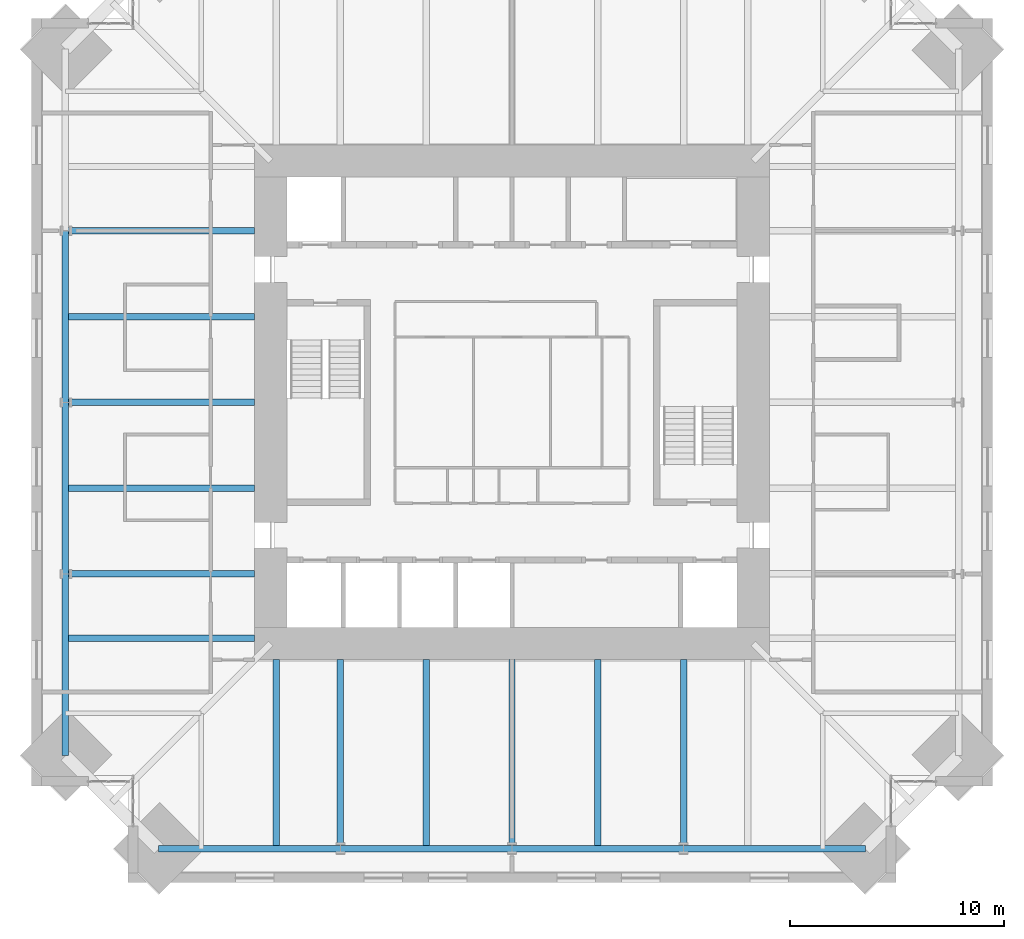
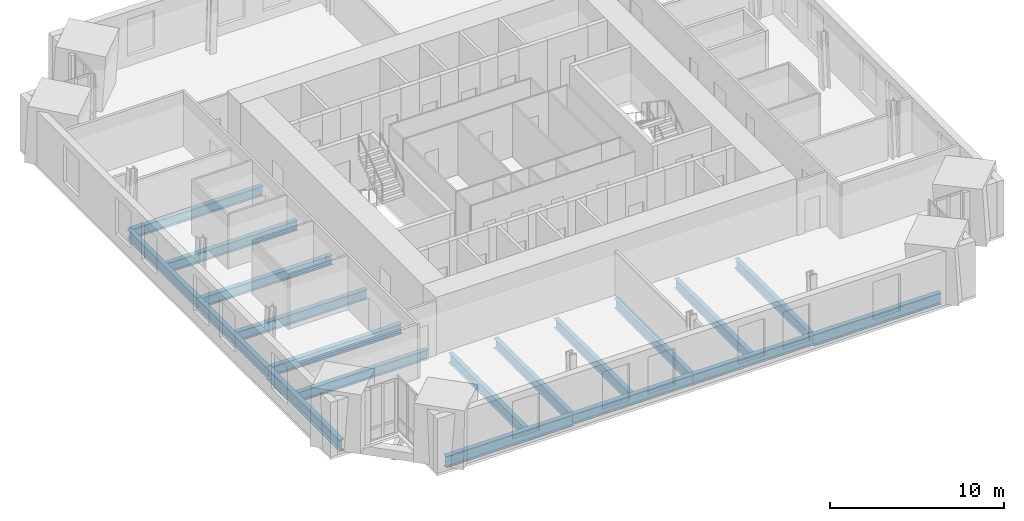
# One storey, part 3 of 18: 19 beams.
"""IFC4 building model written with IfcOpenShell, lengths in metres."""

from ifc_helpers import new_model, si_unit, direction, frame, origin, origin_2d, place, context, subcontext, project, spatial, i_section, extrude, material, material_profile, profile_set, type_object, element, save


model = new_model("IFC4")

# Units and contexts
model_context = context("Model", 3, precision=1e-05, world=origin(), true_north=direction((0.0, 1.0)))
body_context = subcontext(model_context, "Body", "Model", "MODEL_VIEW")
ifc_project = project(units=[si_unit("LENGTHUNIT", "METRE"), si_unit("AREAUNIT", "SQUARE_METRE"), si_unit("VOLUMEUNIT", "CUBIC_METRE"), si_unit("PLANEANGLEUNIT", "RADIAN"), si_unit("MASSUNIT", "GRAM", prefix="KILO")], contexts=[model_context])

# Site, building, storey
site_placement = place(None, origin())
site = spatial("IfcSite", under=ifc_project, at=site_placement, CompositionType="ELEMENT")
building_placement = place(site_placement, origin())
building = spatial("IfcBuilding", under=site, at=building_placement, Name="Peilmerk Tower", CompositionType="ELEMENT")
storey_placement = place(building_placement, frame((0.0, 0.0, 249.800048828125)))
storey = spatial("IfcBuildingStorey", under=building, at=storey_placement, Name="L55", CompositionType="ELEMENT", Elevation=249.800048828125)

# Beams
ifc_material = material(Name="Steel S355", Category="steel")
ifc_material_profile_1 = material_profile(ifc_material, i_section(OverallWidth=0.302978515625, OverallDepth=0.81396484375, WebThickness=0.02099609375, FlangeThickness=0.0400390625, at=origin_2d()), Name="HEM 800")
ifc_profile_set_1 = profile_set([ifc_material_profile_1], Name="Steel S355")
beam_type_1 = type_object("IfcBeamType", Name="B15 HEM 800 edge beam", PredefinedType="SPANDREL", material=ifc_profile_set_1)
for number, where, z_axis, x_axis, name in (
    (1, (-16.47412109375, -20.82421875, -0.5771484375), (1.0, 0.0, 0.0), (0.0, 1.0, 0.0), "Edge beam L55"),
    (2, (8.0, -20.82421875, -0.5771484375), (1.0, 0.0, 0.0), (0.0, 1.0, 0.0), "Edge beam L55"),
    (3, (-20.82421875, -8.0, -0.5771484375), (0.0, -1.0, 0.0), (1.0, 0.0, 0.0), "Edge beam L55"),
):
    element("IfcBeam", number, at=place(storey_placement, frame(where, z_axis=z_axis, x_axis=x_axis)), inside=storey, type_object=beam_type_1, Name=name, PredefinedType="SPANDREL", context=body_context, shape_type="SweptSolid", body=[
        extrude(i_section(OverallWidth=0.302978515625, OverallDepth=0.81396484375, WebThickness=0.02099609375, FlangeThickness=0.0400390625, at=origin_2d()), origin(), (0.0, 0.0, 1.0), 8.47412109375),
    ])
ifc_material_profile_2 = material_profile(ifc_material, i_section(OverallWidth=0.300048828125, OverallDepth=0.68994140625, WebThickness=0.014404296875, FlangeThickness=0.027099609375, at=origin_2d()), Name="HEA 700")
ifc_profile_set_2 = profile_set([ifc_material_profile_2], Name="Steel S355")
beam_type_2 = type_object("IfcBeamType", Name="B16 HEA 700 floor beam", PredefinedType="BEAM", material=ifc_profile_set_2)
for number, where, z_axis, x_axis, name in (
    (4, (-11.0, -12.0, -0.51513671875), (0.0, -1.0, 0.0), (1.0, 0.0, 0.0), "Floor beam L55"),
    (5, (-8.0, -12.0, -0.51513671875), (0.0, -1.0, 0.0), (1.0, 0.0, 0.0), "Floor beam L55"),
    (6, (-4.0, -12.0, -0.51513671875), (0.0, -1.0, 0.0), (1.0, 0.0, 0.0), "Floor beam L55"),
    (7, (0.0, -12.0, -0.51513671875), (0.0, -1.0, 0.0), (1.0, 0.0, 0.0), "Floor beam L55"),
    (8, (4.0, -12.0, -0.51513671875), (0.0, -1.0, 0.0), (1.0, 0.0, 0.0), "Floor beam L55"),
    (9, (8.0, -12.0, -0.51513671875), (0.0, -1.0, 0.0), (1.0, 0.0, 0.0), "Floor beam L55"),
    (10, (-12.0, 8.0, -0.51513671875), (-1.0, 0.0, 0.0), (0.0, -1.0, 0.0), "Floor beam L55"),
    (11, (-12.0, 4.0, -0.51513671875), (-1.0, 0.0, 0.0), (0.0, -1.0, 0.0), "Floor beam L55"),
    (12, (-12.0, 0.0, -0.51513671875), (-1.0, 0.0, 0.0), (0.0, -1.0, 0.0), "Floor beam L55"),
    (13, (-12.0, -4.0, -0.51513671875), (-1.0, 0.0, 0.0), (0.0, -1.0, 0.0), "Floor beam L55"),
    (14, (-12.0, -8.0, -0.51513671875), (-1.0, 0.0, 0.0), (0.0, -1.0, 0.0), "Floor beam L55"),
    (15, (-12.0, -11.0, -0.51513671875), (-1.0, 0.0, 0.0), (0.0, -1.0, 0.0), "Floor beam L55"),
):
    element("IfcBeam", number, at=place(storey_placement, frame(where, z_axis=z_axis, x_axis=x_axis)), inside=storey, type_object=beam_type_2, Name=name, PredefinedType="BEAM", context=body_context, shape_type="SweptSolid", body=[
        extrude(i_section(OverallWidth=0.300048828125, OverallDepth=0.68994140625, WebThickness=0.014404296875, FlangeThickness=0.027099609375, at=origin_2d()), origin(), (0.0, 0.0, 1.0), 8.82421875),
    ])
ifc_material_profile_3 = material_profile(ifc_material, i_section(OverallWidth=0.303955078125, OverallDepth=0.716064453125, WebThickness=0.02099609375, FlangeThickness=0.0400390625, at=origin_2d()), Name="HEM 700")
ifc_profile_set_3 = profile_set([ifc_material_profile_3], Name="Steel S355")
beam_type_3 = type_object("IfcBeamType", Name="B30 HEM 700 edge beam", PredefinedType="SPANDREL", material=ifc_profile_set_3)
for number, where, z_axis, x_axis, name in (
    (16, (-8.0, -20.82421875, -0.528076171875), (1.0, 0.0, 0.0), (0.0, 1.0, 0.0), "Edge beam L55"),
    (17, (0.0, -20.82421875, -0.528076171875), (1.0, 0.0, 0.0), (0.0, 1.0, 0.0), "Edge beam L55"),
    (18, (-20.82421875, 8.0, -0.528076171875), (0.0, -1.0, 0.0), (1.0, 0.0, 0.0), "Edge beam L55"),
    (19, (-20.82421875, 0.0, -0.528076171875), (0.0, -1.0, 0.0), (1.0, 0.0, 0.0), "Edge beam L55"),
):
    element("IfcBeam", number, at=place(storey_placement, frame(where, z_axis=z_axis, x_axis=x_axis)), inside=storey, type_object=beam_type_3, Name=name, PredefinedType="SPANDREL", context=body_context, shape_type="SweptSolid", body=[
        extrude(i_section(OverallWidth=0.303955078125, OverallDepth=0.716064453125, WebThickness=0.02099609375, FlangeThickness=0.0400390625, at=origin_2d()), origin(), (0.0, 0.0, 1.0), 8.0),
    ])

save(model, "model.ifc")
